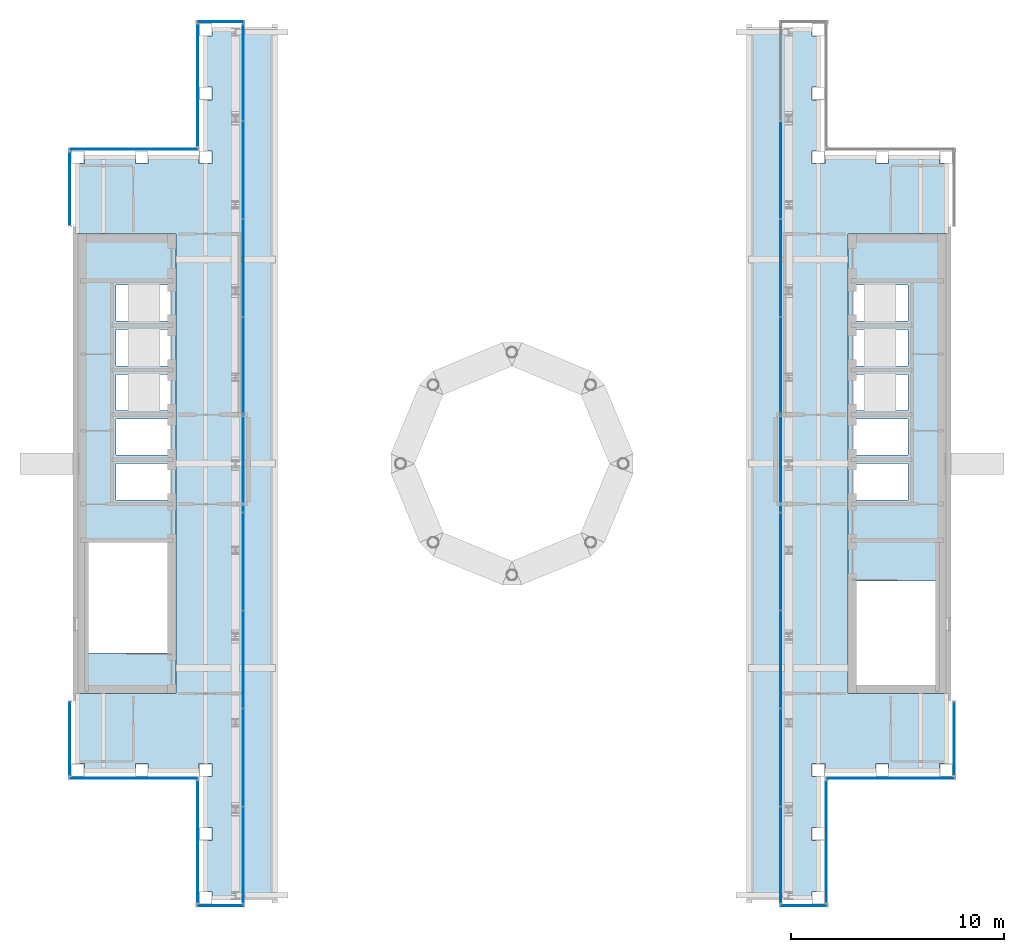
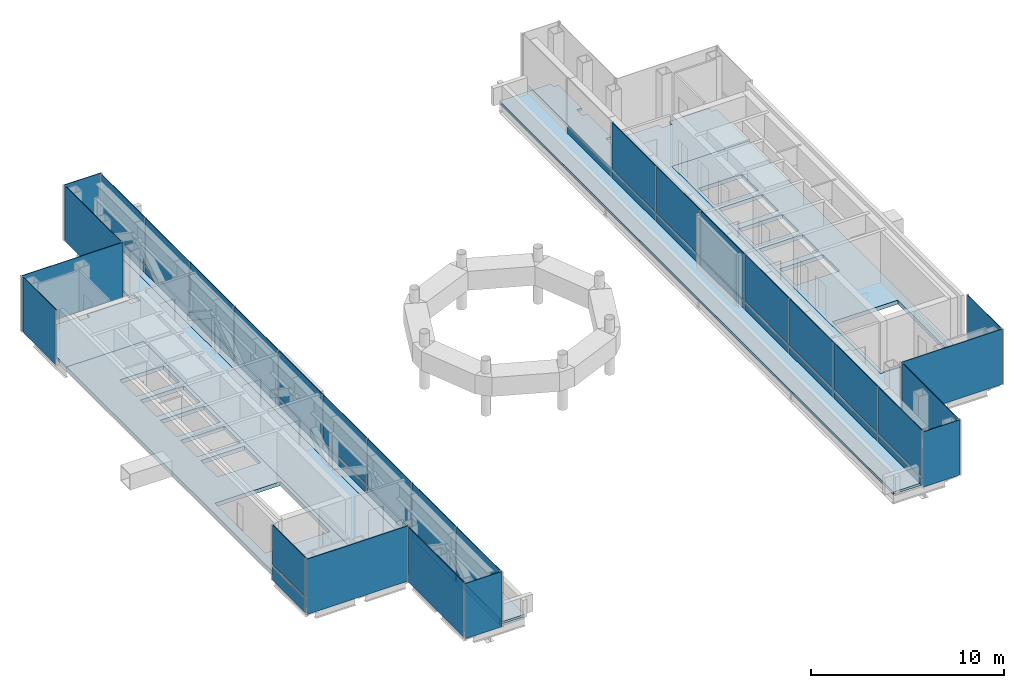
# One storey, part 11 of 16: 46 plates, 6 slabs, 14 elements without a shape of their own.
"""IFC4 building model written with IfcOpenShell, lengths in metres."""

from ifc_helpers import new_model, si_unit, direction, frame, origin, origin_2d, place, context, subcontext, project, spatial, polyline, rectangle, outline, extrude, material, layer, layer_set, type_object, element, aggregate, save


model = new_model("IFC4")

# Units and contexts
model_context = context("Model", 3, precision=1e-05, world=origin(), true_north=direction((0.0, 1.0)))
body_context = subcontext(model_context, "Body", "Model", "MODEL_VIEW")
ifc_project = project(units=[si_unit("LENGTHUNIT", "METRE"), si_unit("AREAUNIT", "SQUARE_METRE"), si_unit("VOLUMEUNIT", "CUBIC_METRE"), si_unit("PLANEANGLEUNIT", "RADIAN"), si_unit("MASSUNIT", "GRAM", prefix="KILO")], contexts=[model_context])

# Site, building, storey
site_placement = place(None, origin())
site = spatial("IfcSite", under=ifc_project, at=site_placement, CompositionType="ELEMENT")
building_placement = place(site_placement, origin())
building = spatial("IfcBuilding", under=site, at=building_placement, Name="Cobrizo Arcos Hotel Tower", CompositionType="ELEMENT")
storey_placement = place(building_placement, frame((0.0, 0.0, 286.5)))
storey = spatial("IfcBuildingStorey", under=building, at=storey_placement, Name="L76", CompositionType="ELEMENT", Elevation=286.5)

# Curtain wall, plate
ifc_material_1 = material(Name="Aluminium 6063-T6 anodised bronze", Category="aluminium")
curtain_wall_type_1 = type_object("IfcCurtainWallType", Name="CW-A guest facade", PredefinedType="NOTDEFINED", material=ifc_material_1)
curtain_wall_1_placement = place(storey_placement, origin())
curtain_wall_1 = element("IfcCurtainWall", 1, at=curtain_wall_1_placement, inside=storey, type_object=curtain_wall_type_1, Name="CW-A L76 W face", PredefinedType="NOTDEFINED")
ifc_material_2 = material(Name="Glass clear laminated low-e", Category="glass")
ifc_layer_1 = layer(ifc_material_2, 0.0400390625)
ifc_layer_set_1 = layer_set([ifc_layer_1], Name="CW-A glass panel")
plate_type_1 = type_object("IfcPlateType", Name="CW-A glass panel", PredefinedType="CURTAIN_PANEL", material=ifc_layer_set_1)
plate_1_placement = place(storey_placement, frame((-20.77490234375, -12.925048828125, 0.990234375), z_axis=(0.0, 0.0, 1.0), x_axis=(0.0, -1.0, 0.0)))
plate_1 = element("IfcPlate", 2, at=plate_1_placement, type_object=plate_type_1, Name="CW-A glass panel 2423", PredefinedType="CURTAIN_PANEL", context=body_context, shape_type="SweptSolid", body=[
    extrude(rectangle(XDim=3.429931640625, YDim=0.0400390625, at=origin_2d()), origin(), (0.0, 0.0, 1.0), 2.510009765625),
])

curtain_wall_2_placement = place(storey_placement, origin())
curtain_wall_2 = element("IfcCurtainWall", 3, at=curtain_wall_2_placement, inside=storey, type_object=curtain_wall_type_1, Name="CW-A L76 S face", PredefinedType="NOTDEFINED")
ifc_material_3 = material(Name="Aluminium composite panel pale metal", Category="aluminium")
ifc_layer_2 = layer(ifc_material_3, 0.0400390625)
ifc_layer_set_2 = layer_set([ifc_layer_2], Name="CW-A spandrel panel")
plate_type_2 = type_object("IfcPlateType", Name="CW-A spandrel panel", PredefinedType="CURTAIN_PANEL", material=ifc_layer_set_2)
plate_2_placement = place(storey_placement, frame((13.699951171875, -20.77490234375, 0.0), z_axis=(0.0, 0.0, 1.0), x_axis=(1.0, 0.0, 0.0)))
plate_2 = element("IfcPlate", 4, at=plate_2_placement, type_object=plate_type_2, Name="CW-A spandrel panel 2402", PredefinedType="CURTAIN_PANEL", context=body_context, shape_type="SweptSolid", body=[
    extrude(rectangle(XDim=2.179931640625, YDim=0.0400390625, at=origin_2d()), origin(), (0.0, 0.0, 1.0), 3.5),
])
aggregate(curtain_wall_2, [plate_2])

curtain_wall_3_placement = place(storey_placement, origin())
curtain_wall_3 = element("IfcCurtainWall", 5, at=curtain_wall_3_placement, inside=storey, type_object=curtain_wall_type_1, Name="CW-A L76 E face", PredefinedType="NOTDEFINED")
plate_3_placement = place(storey_placement, frame((14.77490234375, -17.77490234375, 0.0), z_axis=(0.0, 0.0, 1.0), x_axis=(0.0, 1.0, 0.0)))
plate_3 = element("IfcPlate", 6, at=plate_3_placement, type_object=plate_type_2, Name="CW-A spandrel panel 2403", PredefinedType="CURTAIN_PANEL", context=body_context, shape_type="SweptSolid", body=[
    extrude(rectangle(XDim=5.72998046875, YDim=0.0400390625, at=origin_2d()), origin(), (0.0, 0.0, 1.0), 3.5),
])
aggregate(curtain_wall_3, [plate_3])

curtain_wall_4_placement = place(storey_placement, origin())
curtain_wall_4 = element("IfcCurtainWall", 7, at=curtain_wall_4_placement, inside=storey, type_object=curtain_wall_type_1, Name="CW-A L76 S face", PredefinedType="NOTDEFINED")
plate_4_placement = place(storey_placement, frame((17.77490234375, -14.77490234375, 0.0), z_axis=(0.0, 0.0, 1.0), x_axis=(1.0, 0.0, 0.0)))
plate_4 = element("IfcPlate", 8, at=plate_4_placement, type_object=plate_type_2, Name="CW-A spandrel panel 2404", PredefinedType="CURTAIN_PANEL", context=body_context, shape_type="SweptSolid", body=[
    extrude(rectangle(XDim=6.030029296875, YDim=0.0400390625, at=origin_2d()), origin(), (0.0, 0.0, 1.0), 3.5),
])
aggregate(curtain_wall_4, [plate_4])

curtain_wall_5_placement = place(storey_placement, origin())
curtain_wall_5 = element("IfcCurtainWall", 9, at=curtain_wall_5_placement, inside=storey, type_object=curtain_wall_type_1, Name="CW-A L76 E face", PredefinedType="NOTDEFINED")
plate_5_placement = place(storey_placement, frame((20.77490234375, -12.925048828125, 0.0), z_axis=(0.0, 0.0, 1.0), x_axis=(0.0, 1.0, 0.0)))
plate_5 = element("IfcPlate", 10, at=plate_5_placement, type_object=plate_type_2, Name="CW-A spandrel panel 2405", PredefinedType="CURTAIN_PANEL", context=body_context, shape_type="SweptSolid", body=[
    extrude(rectangle(XDim=3.429931640625, YDim=0.0400390625, at=origin_2d()), origin(), (0.0, 0.0, 1.0), 3.5),
])
aggregate(curtain_wall_5, [plate_5])

curtain_wall_6_placement = place(storey_placement, origin())
curtain_wall_6 = element("IfcCurtainWall", 11, at=curtain_wall_6_placement, inside=storey, type_object=curtain_wall_type_1, Name="CW-A L76 S face", PredefinedType="NOTDEFINED")
plate_6_placement = place(storey_placement, frame((-13.699951171875, -20.77490234375, 0.0), z_axis=(0.0, 0.0, 1.0), x_axis=(1.0, 0.0, 0.0)))
plate_6 = element("IfcPlate", 12, at=plate_6_placement, type_object=plate_type_2, Name="CW-A spandrel panel 2409", PredefinedType="CURTAIN_PANEL", context=body_context, shape_type="SweptSolid", body=[
    extrude(rectangle(XDim=2.179931640625, YDim=0.0400390625, at=origin_2d()), origin(), (0.0, 0.0, 1.0), 3.5),
])
aggregate(curtain_wall_6, [plate_6])

curtain_wall_7_placement = place(storey_placement, origin())
curtain_wall_7 = element("IfcCurtainWall", 13, at=curtain_wall_7_placement, inside=storey, type_object=curtain_wall_type_1, Name="CW-A L76 N face", PredefinedType="NOTDEFINED")
plate_7_placement = place(storey_placement, frame((-13.699951171875, 20.77490234375, 0.0), z_axis=(0.0, 0.0, 1.0), x_axis=(-1.0, 0.0, 0.0)))
plate_7 = element("IfcPlate", 14, at=plate_7_placement, type_object=plate_type_2, Name="CW-A spandrel panel 2419", PredefinedType="CURTAIN_PANEL", context=body_context, shape_type="SweptSolid", body=[
    extrude(rectangle(XDim=2.179931640625, YDim=0.0400390625, at=origin_2d()), origin(), (0.0, 0.0, 1.0), 3.5),
])
aggregate(curtain_wall_7, [plate_7])

curtain_wall_8_placement = place(storey_placement, origin())
curtain_wall_8 = element("IfcCurtainWall", 15, at=curtain_wall_8_placement, inside=storey, type_object=curtain_wall_type_1, Name="CW-A L76 W face", PredefinedType="NOTDEFINED")
plate_8_placement = place(storey_placement, frame((-14.77490234375, 17.77490234375, 0.0), z_axis=(0.0, 0.0, 1.0), x_axis=(0.0, -1.0, 0.0)))
plate_8 = element("IfcPlate", 16, at=plate_8_placement, type_object=plate_type_2, Name="CW-A spandrel panel 2420", PredefinedType="CURTAIN_PANEL", context=body_context, shape_type="SweptSolid", body=[
    extrude(rectangle(XDim=5.72998046875, YDim=0.0400390625, at=origin_2d()), origin(), (0.0, 0.0, 1.0), 3.5),
])
aggregate(curtain_wall_8, [plate_8])

curtain_wall_9_placement = place(storey_placement, origin())
curtain_wall_9 = element("IfcCurtainWall", 17, at=curtain_wall_9_placement, inside=storey, type_object=curtain_wall_type_1, Name="CW-A L76 N face", PredefinedType="NOTDEFINED")
plate_9_placement = place(storey_placement, frame((-17.77490234375, 14.77490234375, 0.0), z_axis=(0.0, 0.0, 1.0), x_axis=(-1.0, 0.0, 0.0)))
plate_9 = element("IfcPlate", 18, at=plate_9_placement, type_object=plate_type_2, Name="CW-A spandrel panel 2421", PredefinedType="CURTAIN_PANEL", context=body_context, shape_type="SweptSolid", body=[
    extrude(rectangle(XDim=6.030029296875, YDim=0.0400390625, at=origin_2d()), origin(), (0.0, 0.0, 1.0), 3.5),
])
aggregate(curtain_wall_9, [plate_9])

curtain_wall_10_placement = place(storey_placement, origin())
curtain_wall_10 = element("IfcCurtainWall", 19, at=curtain_wall_10_placement, inside=storey, type_object=curtain_wall_type_1, Name="CW-A L76 W face", PredefinedType="NOTDEFINED")
plate_10_placement = place(storey_placement, frame((-20.77490234375, 12.925048828125, 0.0), z_axis=(0.0, 0.0, 1.0), x_axis=(0.0, -1.0, 0.0)))
plate_10 = element("IfcPlate", 20, at=plate_10_placement, type_object=plate_type_2, Name="CW-A spandrel panel 2422", PredefinedType="CURTAIN_PANEL", context=body_context, shape_type="SweptSolid", body=[
    extrude(rectangle(XDim=3.429931640625, YDim=0.0400390625, at=origin_2d()), origin(), (0.0, 0.0, 1.0), 3.5),
])
aggregate(curtain_wall_10, [plate_10])

# Plate
plate_11_placement = place(storey_placement, frame((-20.77490234375, -12.925048828125, 0.0), z_axis=(0.0, 0.0, 1.0), x_axis=(0.0, -1.0, 0.0)))
plate_11 = element("IfcPlate", 21, at=plate_11_placement, type_object=plate_type_2, Name="CW-A spandrel panel 2423", PredefinedType="CURTAIN_PANEL", context=body_context, shape_type="SweptSolid", body=[
    extrude(rectangle(XDim=3.429931640625, YDim=0.0400390625, at=origin_2d()), origin(), (0.0, 0.0, 1.0), 0.8701171875),
])

aggregate(curtain_wall_1, [plate_11, plate_1])

# Curtain wall, plate
curtain_wall_11_placement = place(storey_placement, origin())
curtain_wall_11 = element("IfcCurtainWall", 22, at=curtain_wall_11_placement, inside=storey, type_object=curtain_wall_type_1, Name="CW-A L76 S face", PredefinedType="NOTDEFINED")
plate_12_placement = place(storey_placement, frame((-17.77490234375, -14.77490234375, 0.0), z_axis=(0.0, 0.0, 1.0), x_axis=(1.0, 0.0, 0.0)))
plate_12 = element("IfcPlate", 23, at=plate_12_placement, type_object=plate_type_2, Name="CW-A spandrel panel 2424", PredefinedType="CURTAIN_PANEL", context=body_context, shape_type="SweptSolid", body=[
    extrude(rectangle(XDim=6.030029296875, YDim=0.0400390625, at=origin_2d()), origin(), (0.0, 0.0, 1.0), 3.5),
])
aggregate(curtain_wall_11, [plate_12])

curtain_wall_12_placement = place(storey_placement, origin())
curtain_wall_12 = element("IfcCurtainWall", 24, at=curtain_wall_12_placement, inside=storey, type_object=curtain_wall_type_1, Name="CW-A L76 W face", PredefinedType="NOTDEFINED")
plate_13_placement = place(storey_placement, frame((-14.77490234375, -17.77490234375, 0.0), z_axis=(0.0, 0.0, 1.0), x_axis=(0.0, -1.0, 0.0)))
plate_13 = element("IfcPlate", 25, at=plate_13_placement, type_object=plate_type_2, Name="CW-A spandrel panel 2425", PredefinedType="CURTAIN_PANEL", context=body_context, shape_type="SweptSolid", body=[
    extrude(rectangle(XDim=5.72998046875, YDim=0.0400390625, at=origin_2d()), origin(), (0.0, 0.0, 1.0), 3.5),
])
aggregate(curtain_wall_12, [plate_13])

curtain_wall_type_2 = type_object("IfcCurtainWallType", Name="CW-C arch infill and crown glazing", PredefinedType="NOTDEFINED", material=ifc_material_1)
curtain_wall_13_placement = place(storey_placement, origin())
curtain_wall_13 = element("IfcCurtainWall", 26, at=curtain_wall_13_placement, inside=storey, type_object=curtain_wall_type_2, Name="CW-C L76 W face", PredefinedType="NOTDEFINED")
ifc_layer_3 = layer(ifc_material_2, 0.0400390625)
ifc_layer_set_3 = layer_set([ifc_layer_3], Name="CW-C glass panel")
plate_type_3 = type_object("IfcPlateType", Name="CW-C glass panel", PredefinedType="CURTAIN_PANEL", material=ifc_layer_set_3)
plate_14_placement = place(storey_placement, frame((12.625, 0.0, 0.0), z_axis=(0.0, 0.0, 1.0), x_axis=(0.0, -1.0, 0.0)))
plate_14 = element("IfcPlate", 27, at=plate_14_placement, type_object=plate_type_3, Name="CW-C glass panel 2397", PredefinedType="CURTAIN_PANEL", context=body_context, shape_type="SweptSolid", body=[
    extrude(rectangle(XDim=4.530029296875, YDim=0.0400390625, at=origin_2d()), origin(), (0.0, 0.0, 1.0), 0.429931640625),
])

curtain_wall_14_placement = place(storey_placement, origin())
curtain_wall_14 = element("IfcCurtainWall", 28, at=curtain_wall_14_placement, inside=storey, type_object=curtain_wall_type_2, Name="CW-C L76 E face", PredefinedType="NOTDEFINED")
plate_15_placement = place(storey_placement, frame((-12.625, 0.0, 0.0), z_axis=(0.0, 0.0, 1.0), x_axis=(0.0, 1.0, 0.0)))
plate_15 = element("IfcPlate", 29, at=plate_15_placement, type_object=plate_type_3, Name="CW-C glass panel 2414", PredefinedType="CURTAIN_PANEL", context=body_context, shape_type="SweptSolid", body=[
    extrude(rectangle(XDim=4.530029296875, YDim=0.0400390625, at=origin_2d()), origin(), (0.0, 0.0, 1.0), 0.429931640625),
])

# Plate
ifc_layer_4 = layer(ifc_material_3, 0.0400390625)
ifc_layer_set_4 = layer_set([ifc_layer_4], Name="CW-C spandrel panel")
plate_type_4 = type_object("IfcPlateType", Name="CW-C spandrel panel", PredefinedType="CURTAIN_PANEL", material=ifc_layer_set_4)
plate_16_placement = place(storey_placement, frame((12.625, 13.800048828125, 0.0), z_axis=(0.0, 0.0, 1.0), x_axis=(0.0, -1.0, 0.0)))
plate_16 = element("IfcPlate", 30, at=plate_16_placement, type_object=plate_type_4, Name="CW-C spandrel panel 2394", PredefinedType="CURTAIN_PANEL", context=body_context, shape_type="SweptSolid", body=[
    extrude(rectangle(XDim=4.530029296875, YDim=0.0400390625, at=origin_2d()), origin(), (0.0, 0.0, 1.0), 0.429931640625),
])

plate_17_placement = place(storey_placement, frame((12.625, 9.199951171875, 0.0), z_axis=(0.0, 0.0, 1.0), x_axis=(0.0, -1.0, 0.0)))
plate_17 = element("IfcPlate", 31, at=plate_17_placement, type_object=plate_type_4, Name="CW-C spandrel panel 2395", PredefinedType="CURTAIN_PANEL", context=body_context, shape_type="SweptSolid", body=[
    extrude(rectangle(XDim=4.530029296875, YDim=0.0400390625, at=origin_2d()), origin(), (0.0, 0.0, 1.0), 0.429931640625),
])

plate_18_placement = place(storey_placement, frame((12.625, 9.199951171875, 0.56982421875), z_axis=(0.0, 0.0, 1.0), x_axis=(0.0, -1.0, 0.0)))
plate_18 = element("IfcPlate", 32, at=plate_18_placement, type_object=plate_type_4, Name="CW-C spandrel panel 2395", PredefinedType="CURTAIN_PANEL", context=body_context, shape_type="SweptSolid", body=[
    extrude(rectangle(XDim=4.530029296875, YDim=0.0400390625, at=origin_2d()), origin(), (0.0, 0.0, 1.0), 2.929931640625),
])

plate_19_placement = place(storey_placement, frame((12.625, 4.60009765625, 0.0), z_axis=(0.0, 0.0, 1.0), x_axis=(0.0, -1.0, 0.0)))
plate_19 = element("IfcPlate", 33, at=plate_19_placement, type_object=plate_type_4, Name="CW-C spandrel panel 2396", PredefinedType="CURTAIN_PANEL", context=body_context, shape_type="SweptSolid", body=[
    extrude(rectangle(XDim=4.530029296875, YDim=0.0400390625, at=origin_2d()), origin(), (0.0, 0.0, 1.0), 0.429931640625),
])

plate_20_placement = place(storey_placement, frame((12.625, 4.60009765625, 0.56982421875), z_axis=(0.0, 0.0, 1.0), x_axis=(0.0, -1.0, 0.0)))
plate_20 = element("IfcPlate", 34, at=plate_20_placement, type_object=plate_type_4, Name="CW-C spandrel panel 2396", PredefinedType="CURTAIN_PANEL", context=body_context, shape_type="SweptSolid", body=[
    extrude(rectangle(XDim=4.530029296875, YDim=0.0400390625, at=origin_2d()), origin(), (0.0, 0.0, 1.0), 2.929931640625),
])

plate_21_placement = place(storey_placement, frame((12.625, 0.0, 0.56982421875), z_axis=(0.0, 0.0, 1.0), x_axis=(0.0, -1.0, 0.0)))
plate_21 = element("IfcPlate", 35, at=plate_21_placement, type_object=plate_type_4, Name="CW-C spandrel panel 2397", PredefinedType="CURTAIN_PANEL", context=body_context, shape_type="SweptSolid", body=[
    extrude(rectangle(XDim=4.530029296875, YDim=0.0400390625, at=origin_2d()), origin(), (0.0, 0.0, 1.0), 2.929931640625),
])

plate_22_placement = place(storey_placement, frame((12.625, -4.60009765625, 0.0), z_axis=(0.0, 0.0, 1.0), x_axis=(0.0, -1.0, 0.0)))
plate_22 = element("IfcPlate", 36, at=plate_22_placement, type_object=plate_type_4, Name="CW-C spandrel panel 2398", PredefinedType="CURTAIN_PANEL", context=body_context, shape_type="SweptSolid", body=[
    extrude(rectangle(XDim=4.530029296875, YDim=0.0400390625, at=origin_2d()), origin(), (0.0, 0.0, 1.0), 0.429931640625),
])

plate_23_placement = place(storey_placement, frame((12.625, -4.60009765625, 0.56982421875), z_axis=(0.0, 0.0, 1.0), x_axis=(0.0, -1.0, 0.0)))
plate_23 = element("IfcPlate", 37, at=plate_23_placement, type_object=plate_type_4, Name="CW-C spandrel panel 2398", PredefinedType="CURTAIN_PANEL", context=body_context, shape_type="SweptSolid", body=[
    extrude(rectangle(XDim=4.530029296875, YDim=0.0400390625, at=origin_2d()), origin(), (0.0, 0.0, 1.0), 2.929931640625),
])

plate_24_placement = place(storey_placement, frame((12.625, -9.199951171875, 0.0), z_axis=(0.0, 0.0, 1.0), x_axis=(0.0, -1.0, 0.0)))
plate_24 = element("IfcPlate", 38, at=plate_24_placement, type_object=plate_type_4, Name="CW-C spandrel panel 2399", PredefinedType="CURTAIN_PANEL", context=body_context, shape_type="SweptSolid", body=[
    extrude(rectangle(XDim=4.530029296875, YDim=0.0400390625, at=origin_2d()), origin(), (0.0, 0.0, 1.0), 0.429931640625),
])

plate_25_placement = place(storey_placement, frame((12.625, -9.199951171875, 0.56982421875), z_axis=(0.0, 0.0, 1.0), x_axis=(0.0, -1.0, 0.0)))
plate_25 = element("IfcPlate", 39, at=plate_25_placement, type_object=plate_type_4, Name="CW-C spandrel panel 2399", PredefinedType="CURTAIN_PANEL", context=body_context, shape_type="SweptSolid", body=[
    extrude(rectangle(XDim=4.530029296875, YDim=0.0400390625, at=origin_2d()), origin(), (0.0, 0.0, 1.0), 2.929931640625),
])

plate_26_placement = place(storey_placement, frame((12.625, -13.800048828125, 0.0), z_axis=(0.0, 0.0, 1.0), x_axis=(0.0, -1.0, 0.0)))
plate_26 = element("IfcPlate", 40, at=plate_26_placement, type_object=plate_type_4, Name="CW-C spandrel panel 2400", PredefinedType="CURTAIN_PANEL", context=body_context, shape_type="SweptSolid", body=[
    extrude(rectangle(XDim=4.530029296875, YDim=0.0400390625, at=origin_2d()), origin(), (0.0, 0.0, 1.0), 0.429931640625),
])

plate_27_placement = place(storey_placement, frame((12.625, -13.800048828125, 0.56982421875), z_axis=(0.0, 0.0, 1.0), x_axis=(0.0, -1.0, 0.0)))
plate_27 = element("IfcPlate", 41, at=plate_27_placement, type_object=plate_type_4, Name="CW-C spandrel panel 2400", PredefinedType="CURTAIN_PANEL", context=body_context, shape_type="SweptSolid", body=[
    extrude(rectangle(XDim=4.530029296875, YDim=0.0400390625, at=origin_2d()), origin(), (0.0, 0.0, 1.0), 2.929931640625),
])

plate_28_placement = place(storey_placement, frame((12.625, -18.382568359375, 0.0), z_axis=(0.0, 0.0, 1.0), x_axis=(0.0, -1.0, 0.0)))
plate_28 = element("IfcPlate", 42, at=plate_28_placement, type_object=plate_type_4, Name="CW-C spandrel panel 2401", PredefinedType="CURTAIN_PANEL", context=body_context, shape_type="SweptSolid", body=[
    extrude(rectangle(XDim=4.4951171875, YDim=0.0400390625, at=origin_2d()), origin(), (0.0, 0.0, 1.0), 0.429931640625),
])

plate_29_placement = place(storey_placement, frame((12.625, -18.382568359375, 0.56982421875), z_axis=(0.0, 0.0, 1.0), x_axis=(0.0, -1.0, 0.0)))
plate_29 = element("IfcPlate", 43, at=plate_29_placement, type_object=plate_type_4, Name="CW-C spandrel panel 2401", PredefinedType="CURTAIN_PANEL", context=body_context, shape_type="SweptSolid", body=[
    extrude(rectangle(XDim=4.4951171875, YDim=0.0400390625, at=origin_2d()), origin(), (0.0, 0.0, 1.0), 2.929931640625),
])

aggregate(curtain_wall_13, [plate_16, plate_17, plate_18, plate_19, plate_20, plate_14, plate_21, plate_22, plate_23, plate_24, plate_25, plate_26, plate_27, plate_28, plate_29])

plate_30_placement = place(storey_placement, frame((-12.625, -18.382568359375, 0.0), z_axis=(0.0, 0.0, 1.0), x_axis=(0.0, 1.0, 0.0)))
plate_30 = element("IfcPlate", 44, at=plate_30_placement, type_object=plate_type_4, Name="CW-C spandrel panel 2410", PredefinedType="CURTAIN_PANEL", context=body_context, shape_type="SweptSolid", body=[
    extrude(rectangle(XDim=4.4951171875, YDim=0.0400390625, at=origin_2d()), origin(), (0.0, 0.0, 1.0), 0.429931640625),
])

plate_31_placement = place(storey_placement, frame((-12.625, -18.382568359375, 0.56982421875), z_axis=(0.0, 0.0, 1.0), x_axis=(0.0, 1.0, 0.0)))
plate_31 = element("IfcPlate", 45, at=plate_31_placement, type_object=plate_type_4, Name="CW-C spandrel panel 2410", PredefinedType="CURTAIN_PANEL", context=body_context, shape_type="SweptSolid", body=[
    extrude(rectangle(XDim=4.4951171875, YDim=0.0400390625, at=origin_2d()), origin(), (0.0, 0.0, 1.0), 2.929931640625),
])

plate_32_placement = place(storey_placement, frame((-12.625, -13.800048828125, 0.0), z_axis=(0.0, 0.0, 1.0), x_axis=(0.0, 1.0, 0.0)))
plate_32 = element("IfcPlate", 46, at=plate_32_placement, type_object=plate_type_4, Name="CW-C spandrel panel 2411", PredefinedType="CURTAIN_PANEL", context=body_context, shape_type="SweptSolid", body=[
    extrude(rectangle(XDim=4.530029296875, YDim=0.0400390625, at=origin_2d()), origin(), (0.0, 0.0, 1.0), 0.429931640625),
])

plate_33_placement = place(storey_placement, frame((-12.625, -13.800048828125, 0.56982421875), z_axis=(0.0, 0.0, 1.0), x_axis=(0.0, 1.0, 0.0)))
plate_33 = element("IfcPlate", 47, at=plate_33_placement, type_object=plate_type_4, Name="CW-C spandrel panel 2411", PredefinedType="CURTAIN_PANEL", context=body_context, shape_type="SweptSolid", body=[
    extrude(rectangle(XDim=4.530029296875, YDim=0.0400390625, at=origin_2d()), origin(), (0.0, 0.0, 1.0), 2.929931640625),
])

plate_34_placement = place(storey_placement, frame((-12.625, -9.199951171875, 0.0), z_axis=(0.0, 0.0, 1.0), x_axis=(0.0, 1.0, 0.0)))
plate_34 = element("IfcPlate", 48, at=plate_34_placement, type_object=plate_type_4, Name="CW-C spandrel panel 2412", PredefinedType="CURTAIN_PANEL", context=body_context, shape_type="SweptSolid", body=[
    extrude(rectangle(XDim=4.530029296875, YDim=0.0400390625, at=origin_2d()), origin(), (0.0, 0.0, 1.0), 0.429931640625),
])

plate_35_placement = place(storey_placement, frame((-12.625, -9.199951171875, 0.56982421875), z_axis=(0.0, 0.0, 1.0), x_axis=(0.0, 1.0, 0.0)))
plate_35 = element("IfcPlate", 49, at=plate_35_placement, type_object=plate_type_4, Name="CW-C spandrel panel 2412", PredefinedType="CURTAIN_PANEL", context=body_context, shape_type="SweptSolid", body=[
    extrude(rectangle(XDim=4.530029296875, YDim=0.0400390625, at=origin_2d()), origin(), (0.0, 0.0, 1.0), 2.929931640625),
])

plate_36_placement = place(storey_placement, frame((-12.625, -4.60009765625, 0.0), z_axis=(0.0, 0.0, 1.0), x_axis=(0.0, 1.0, 0.0)))
plate_36 = element("IfcPlate", 50, at=plate_36_placement, type_object=plate_type_4, Name="CW-C spandrel panel 2413", PredefinedType="CURTAIN_PANEL", context=body_context, shape_type="SweptSolid", body=[
    extrude(rectangle(XDim=4.530029296875, YDim=0.0400390625, at=origin_2d()), origin(), (0.0, 0.0, 1.0), 0.429931640625),
])

plate_37_placement = place(storey_placement, frame((-12.625, -4.60009765625, 0.56982421875), z_axis=(0.0, 0.0, 1.0), x_axis=(0.0, 1.0, 0.0)))
plate_37 = element("IfcPlate", 51, at=plate_37_placement, type_object=plate_type_4, Name="CW-C spandrel panel 2413", PredefinedType="CURTAIN_PANEL", context=body_context, shape_type="SweptSolid", body=[
    extrude(rectangle(XDim=4.530029296875, YDim=0.0400390625, at=origin_2d()), origin(), (0.0, 0.0, 1.0), 2.929931640625),
])

plate_38_placement = place(storey_placement, frame((-12.625, 0.0, 0.56982421875), z_axis=(0.0, 0.0, 1.0), x_axis=(0.0, 1.0, 0.0)))
plate_38 = element("IfcPlate", 52, at=plate_38_placement, type_object=plate_type_4, Name="CW-C spandrel panel 2414", PredefinedType="CURTAIN_PANEL", context=body_context, shape_type="SweptSolid", body=[
    extrude(rectangle(XDim=4.530029296875, YDim=0.0400390625, at=origin_2d()), origin(), (0.0, 0.0, 1.0), 2.929931640625),
])

plate_39_placement = place(storey_placement, frame((-12.625, 4.60009765625, 0.0), z_axis=(0.0, 0.0, 1.0), x_axis=(0.0, 1.0, 0.0)))
plate_39 = element("IfcPlate", 53, at=plate_39_placement, type_object=plate_type_4, Name="CW-C spandrel panel 2415", PredefinedType="CURTAIN_PANEL", context=body_context, shape_type="SweptSolid", body=[
    extrude(rectangle(XDim=4.530029296875, YDim=0.0400390625, at=origin_2d()), origin(), (0.0, 0.0, 1.0), 0.429931640625),
])

plate_40_placement = place(storey_placement, frame((-12.625, 4.60009765625, 0.56982421875), z_axis=(0.0, 0.0, 1.0), x_axis=(0.0, 1.0, 0.0)))
plate_40 = element("IfcPlate", 54, at=plate_40_placement, type_object=plate_type_4, Name="CW-C spandrel panel 2415", PredefinedType="CURTAIN_PANEL", context=body_context, shape_type="SweptSolid", body=[
    extrude(rectangle(XDim=4.530029296875, YDim=0.0400390625, at=origin_2d()), origin(), (0.0, 0.0, 1.0), 2.929931640625),
])

plate_41_placement = place(storey_placement, frame((-12.625, 9.199951171875, 0.0), z_axis=(0.0, 0.0, 1.0), x_axis=(0.0, 1.0, 0.0)))
plate_41 = element("IfcPlate", 55, at=plate_41_placement, type_object=plate_type_4, Name="CW-C spandrel panel 2416", PredefinedType="CURTAIN_PANEL", context=body_context, shape_type="SweptSolid", body=[
    extrude(rectangle(XDim=4.530029296875, YDim=0.0400390625, at=origin_2d()), origin(), (0.0, 0.0, 1.0), 0.429931640625),
])

plate_42_placement = place(storey_placement, frame((-12.625, 9.199951171875, 0.56982421875), z_axis=(0.0, 0.0, 1.0), x_axis=(0.0, 1.0, 0.0)))
plate_42 = element("IfcPlate", 56, at=plate_42_placement, type_object=plate_type_4, Name="CW-C spandrel panel 2416", PredefinedType="CURTAIN_PANEL", context=body_context, shape_type="SweptSolid", body=[
    extrude(rectangle(XDim=4.530029296875, YDim=0.0400390625, at=origin_2d()), origin(), (0.0, 0.0, 1.0), 2.929931640625),
])

plate_43_placement = place(storey_placement, frame((-12.625, 13.800048828125, 0.0), z_axis=(0.0, 0.0, 1.0), x_axis=(0.0, 1.0, 0.0)))
plate_43 = element("IfcPlate", 57, at=plate_43_placement, type_object=plate_type_4, Name="CW-C spandrel panel 2417", PredefinedType="CURTAIN_PANEL", context=body_context, shape_type="SweptSolid", body=[
    extrude(rectangle(XDim=4.530029296875, YDim=0.0400390625, at=origin_2d()), origin(), (0.0, 0.0, 1.0), 0.429931640625),
])

plate_44_placement = place(storey_placement, frame((-12.625, 13.800048828125, 0.56982421875), z_axis=(0.0, 0.0, 1.0), x_axis=(0.0, 1.0, 0.0)))
plate_44 = element("IfcPlate", 58, at=plate_44_placement, type_object=plate_type_4, Name="CW-C spandrel panel 2417", PredefinedType="CURTAIN_PANEL", context=body_context, shape_type="SweptSolid", body=[
    extrude(rectangle(XDim=4.530029296875, YDim=0.0400390625, at=origin_2d()), origin(), (0.0, 0.0, 1.0), 2.929931640625),
])

plate_45_placement = place(storey_placement, frame((-12.625, 18.382568359375, 0.0), z_axis=(0.0, 0.0, 1.0), x_axis=(0.0, 1.0, 0.0)))
plate_45 = element("IfcPlate", 59, at=plate_45_placement, type_object=plate_type_4, Name="CW-C spandrel panel 2418", PredefinedType="CURTAIN_PANEL", context=body_context, shape_type="SweptSolid", body=[
    extrude(rectangle(XDim=4.4951171875, YDim=0.0400390625, at=origin_2d()), origin(), (0.0, 0.0, 1.0), 0.429931640625),
])

plate_46_placement = place(storey_placement, frame((-12.625, 18.382568359375, 0.56982421875), z_axis=(0.0, 0.0, 1.0), x_axis=(0.0, 1.0, 0.0)))
plate_46 = element("IfcPlate", 60, at=plate_46_placement, type_object=plate_type_4, Name="CW-C spandrel panel 2418", PredefinedType="CURTAIN_PANEL", context=body_context, shape_type="SweptSolid", body=[
    extrude(rectangle(XDim=4.4951171875, YDim=0.0400390625, at=origin_2d()), origin(), (0.0, 0.0, 1.0), 2.929931640625),
])

aggregate(curtain_wall_14, [plate_30, plate_31, plate_32, plate_33, plate_34, plate_35, plate_36, plate_37, plate_15, plate_38, plate_39, plate_40, plate_41, plate_42, plate_43, plate_44, plate_45, plate_46])

# Slabs
ifc_material_4 = material(Name="Concrete f'c 35 MPa", Category="concrete")
ifc_layer_5 = layer(ifc_material_4, 0.14990234375)
ifc_layer_set_5 = layer_set([ifc_layer_5], Name="Composite floor slab 150 f'c 35")
slab_type_1 = type_object("IfcSlabType", Name="Composite floor slab 150 f'c 35", PredefinedType="FLOOR", material=ifc_layer_set_5)
slab_1_placement = place(storey_placement, frame((0.0, 0.0, -0.14990234375)))
element("IfcSlab", 61, at=slab_1_placement, inside=storey, type_object=slab_type_1, Name="Floor slab S5, L76, no. 01", PredefinedType="FLOOR", context=body_context, shape_type="SweptSolid", body=[
    extrude(outline(polyline([(-14.39990234375, -17.699951171875), (-14.10009765625, -17.699951171875), (-14.10009765625, -17.10009765625), (-14.39990234375, -17.10009765625), (-14.39990234375, -14.699951171875), (-14.10009765625, -14.699951171875), (-14.10009765625, -14.10009765625), (-14.699951171875, -14.10009765625), (-14.699951171875, -14.39990234375), (-17.10009765625, -14.39990234375), (-17.10009765625, -14.10009765625), (-17.699951171875, -14.10009765625), (-17.699951171875, -14.39990234375), (-20.10009765625, -14.39990234375), (-20.10009765625, -14.10009765625), (-20.39990234375, -14.10009765625), (-20.39990234375, -10.800048828125), (-15.800048828125, -10.800048828125), (-15.800048828125, 10.800048828125), (-20.39990234375, 10.800048828125), (-20.39990234375, 14.10009765625), (-20.10009765625, 14.10009765625), (-20.10009765625, 14.39990234375), (-17.699951171875, 14.39990234375), (-17.699951171875, 14.10009765625), (-17.10009765625, 14.10009765625), (-17.10009765625, 14.39990234375), (-14.699951171875, 14.39990234375), (-14.699951171875, 14.10009765625), (-14.10009765625, 14.10009765625), (-14.10009765625, 14.699951171875), (-14.39990234375, 14.699951171875), (-14.39990234375, 17.10009765625), (-14.10009765625, 17.10009765625), (-14.10009765625, 17.699951171875), (-14.39990234375, 17.699951171875), (-14.39990234375, 20.10009765625), (-14.10009765625, 20.10009765625), (-14.10009765625, 20.39990234375), (-13.0, 20.39990234375), (-13.0, -20.39990234375), (-14.10009765625, -20.39990234375), (-14.10009765625, -20.10009765625), (-14.39990234375, -20.10009765625), (-14.39990234375, -17.699951171875)])), origin(), (0.0, 0.0, 1.0), 0.14990234375),
])
slab_2_placement = place(storey_placement, frame((0.0, 0.0, -0.14990234375)))
element("IfcSlab", 62, at=slab_2_placement, inside=storey, type_object=slab_type_1, Name="Floor slab S5, L76, no. 02", PredefinedType="FLOOR", context=body_context, shape_type="SweptSolid", body=[
    extrude(outline(polyline([(14.39990234375, 17.699951171875), (14.10009765625, 17.699951171875), (14.10009765625, 17.10009765625), (14.39990234375, 17.10009765625), (14.39990234375, 14.699951171875), (14.10009765625, 14.699951171875), (14.10009765625, 14.10009765625), (14.699951171875, 14.10009765625), (14.699951171875, 14.39990234375), (17.10009765625, 14.39990234375), (17.10009765625, 14.10009765625), (17.699951171875, 14.10009765625), (17.699951171875, 14.39990234375), (20.10009765625, 14.39990234375), (20.10009765625, 14.10009765625), (20.39990234375, 14.10009765625), (20.39990234375, 10.800048828125), (15.800048828125, 10.800048828125), (15.800048828125, -10.800048828125), (20.39990234375, -10.800048828125), (20.39990234375, -14.10009765625), (20.10009765625, -14.10009765625), (20.10009765625, -14.39990234375), (17.699951171875, -14.39990234375), (17.699951171875, -14.10009765625), (17.10009765625, -14.10009765625), (17.10009765625, -14.39990234375), (14.699951171875, -14.39990234375), (14.699951171875, -14.10009765625), (14.10009765625, -14.10009765625), (14.10009765625, -14.699951171875), (14.39990234375, -14.699951171875), (14.39990234375, -17.10009765625), (14.10009765625, -17.10009765625), (14.10009765625, -17.699951171875), (14.39990234375, -17.699951171875), (14.39990234375, -20.10009765625), (14.10009765625, -20.10009765625), (14.10009765625, -20.39990234375), (13.0, -20.39990234375), (13.0, 20.39990234375), (14.10009765625, 20.39990234375), (14.10009765625, 20.10009765625), (14.39990234375, 20.10009765625), (14.39990234375, 17.699951171875)])), origin(), (0.0, 0.0, 1.0), 0.14990234375),
])
ifc_material_5 = material(Name="Concrete f'c 40 MPa", Category="concrete")
ifc_layer_6 = layer(ifc_material_5, 0.25)
ifc_layer_set_6 = layer_set([ifc_layer_6], Name="RC core floor slab 250 f'c 40")
slab_type_2 = type_object("IfcSlabType", Name="RC core floor slab 250 f'c 40", PredefinedType="FLOOR", material=ifc_layer_set_6)
slab_3_placement = place(storey_placement, frame((0.0, 0.0, -0.25)))
element("IfcSlab", 63, at=slab_3_placement, inside=storey, type_object=slab_type_2, Name="Core floor slab CS7, east core, L76", PredefinedType="FLOOR", context=body_context, shape_type="SweptSolid", body=[
    extrude(outline(polyline([(15.800048828125, 10.800048828125), (20.39990234375, 10.800048828125), (20.39990234375, -10.800048828125), (15.800048828125, -10.800048828125), (15.800048828125, 10.800048828125)]), holes=[polyline([(19.89794921875, -10.697998046875), (19.89794921875, -5.501953125), (16.001953125, -5.501953125), (16.001953125, -10.697998046875), (19.89794921875, -10.697998046875)]), polyline([(16.0, 0.0), (16.0, -1.699951171875), (18.60009765625, -1.699951171875), (18.60009765625, 0.0), (16.0, 0.0)]), polyline([(16.0, 2.10009765625), (16.0, 0.39990234375), (18.60009765625, 0.39990234375), (18.60009765625, 2.10009765625), (16.0, 2.10009765625)]), polyline([(16.0, 4.199951171875), (16.0, 2.5), (18.60009765625, 2.5), (18.60009765625, 4.199951171875), (16.0, 4.199951171875)]), polyline([(18.60009765625, 6.300048828125), (16.0, 6.300048828125), (16.0, 4.60009765625), (18.60009765625, 4.60009765625), (18.60009765625, 6.300048828125)]), polyline([(18.60009765625, 8.39990234375), (16.0, 8.39990234375), (16.0, 6.699951171875), (18.60009765625, 6.699951171875), (18.60009765625, 8.39990234375)])]), origin(), (0.0, 0.0, 1.0), 0.25),
])
slab_4_placement = place(storey_placement, frame((0.0, 0.0, -0.25)))
element("IfcSlab", 64, at=slab_4_placement, inside=storey, type_object=slab_type_2, Name="Core floor slab CS7, west core, L76", PredefinedType="FLOOR", context=body_context, shape_type="SweptSolid", body=[
    extrude(outline(polyline([(-20.39990234375, 10.800048828125), (-15.800048828125, 10.800048828125), (-15.800048828125, -10.800048828125), (-20.39990234375, -10.800048828125), (-20.39990234375, 10.800048828125)]), holes=[polyline([(-19.89794921875, -3.701904296875), (-19.89794921875, -8.89794921875), (-16.001953125, -8.89794921875), (-16.001953125, -3.701904296875), (-19.89794921875, -3.701904296875)]), polyline([(-18.60009765625, 0.0), (-18.60009765625, -1.699951171875), (-16.0, -1.699951171875), (-16.0, 0.0), (-18.60009765625, 0.0)]), polyline([(-18.60009765625, 2.10009765625), (-18.60009765625, 0.39990234375), (-16.0, 0.39990234375), (-16.0, 2.10009765625), (-18.60009765625, 2.10009765625)]), polyline([(-18.60009765625, 4.199951171875), (-18.60009765625, 2.5), (-16.0, 2.5), (-16.0, 4.199951171875), (-18.60009765625, 4.199951171875)]), polyline([(-16.0, 6.300048828125), (-18.60009765625, 6.300048828125), (-18.60009765625, 4.60009765625), (-16.0, 4.60009765625), (-16.0, 6.300048828125)]), polyline([(-16.0, 8.39990234375), (-18.60009765625, 8.39990234375), (-18.60009765625, 6.699951171875), (-16.0, 6.699951171875), (-16.0, 8.39990234375)])]), origin(), (0.0, 0.0, 1.0), 0.25),
])
ifc_layer_7 = layer(ifc_material_4, 0.14990234375)
ifc_layer_set_7 = layer_set([ifc_layer_7], Name="RC roof slab 150 f'c 35")
slab_type_3 = type_object("IfcSlabType", Name="RC roof slab 150 f'c 35", PredefinedType="ROOF", material=ifc_layer_set_7)
slab_5_placement = place(storey_placement, frame((0.0, 0.0, -0.14990234375)))
element("IfcSlab", 65, at=slab_5_placement, inside=storey, type_object=slab_type_3, Name="Roof slab RS5, L76, no. 01", PredefinedType="ROOF", context=body_context, shape_type="SweptSolid", body=[
    extrude(outline(polyline([(-13.0, -20.39990234375), (-13.0, 20.39990234375), (-11.02587890625, 20.39990234375), (-11.02587890625, -20.39990234375), (-13.0, -20.39990234375)])), origin(), (0.0, 0.0, 1.0), 0.14990234375),
])
slab_6_placement = place(storey_placement, frame((0.0, 0.0, -0.14990234375)))
element("IfcSlab", 66, at=slab_6_placement, inside=storey, type_object=slab_type_3, Name="Roof slab RS5, L76, no. 02", PredefinedType="ROOF", context=body_context, shape_type="SweptSolid", body=[
    extrude(outline(polyline([(13.0, 20.39990234375), (13.0, -20.39990234375), (11.02587890625, -20.39990234375), (11.02587890625, 20.39990234375), (13.0, 20.39990234375)])), origin(), (0.0, 0.0, 1.0), 0.14990234375),
])

save(model, "model.ifc")
